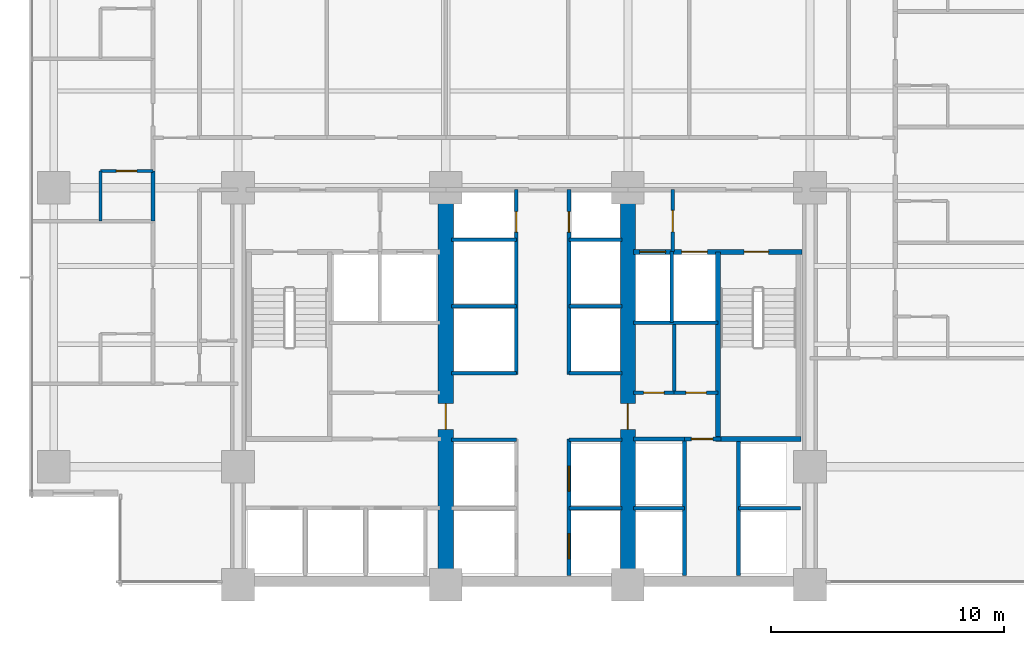
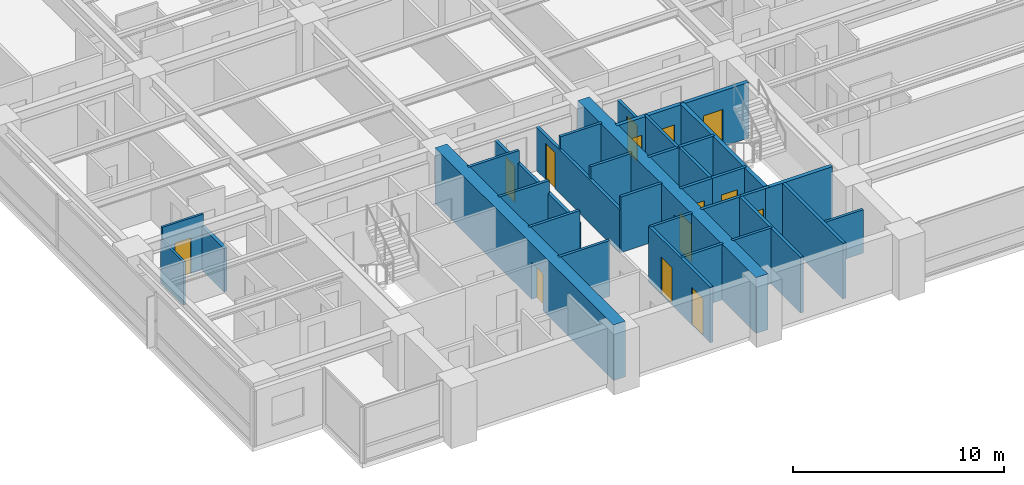
# One storey, part 8 of 16: 32 walls, 14 doors, 14 openings.
"""IFC4 building model written with IfcOpenShell, lengths in metres."""

from ifc_helpers import new_model, si_unit, direction, frame, frame_2d, origin, place, context, subcontext, project, spatial, rectangle, extrude, material, layer, layer_set, type_object, element, fill, save


model = new_model("IFC4")

# Units and contexts
model_context = context("Model", 3, precision=1e-05, world=origin(), true_north=direction((0.0, 1.0)))
body_context = subcontext(model_context, "Body", "Model", "MODEL_VIEW")
ifc_project = project(units=[si_unit("LENGTHUNIT", "METRE"), si_unit("AREAUNIT", "SQUARE_METRE"), si_unit("VOLUMEUNIT", "CUBIC_METRE"), si_unit("PLANEANGLEUNIT", "RADIAN"), si_unit("MASSUNIT", "GRAM", prefix="KILO")], contexts=[model_context])

# Site, building, storey
site_placement = place(None, origin())
site = spatial("IfcSite", under=ifc_project, at=site_placement, CompositionType="ELEMENT")
building_placement = place(site_placement, origin())
building = spatial("IfcBuilding", under=site, at=building_placement, Name="Qalmaran Belvedere Hotel", CompositionType="ELEMENT")
storey_placement = place(building_placement, frame((0.0, 0.0, 36.89990234375)))
storey = spatial("IfcBuildingStorey", under=building, at=storey_placement, Name="L08", CompositionType="ELEMENT", Elevation=36.89990234375)

# Wall, opening, door
ifc_material_1 = material(Name="Concrete C60/75", Category="concrete")
ifc_layer_1 = layer(ifc_material_1, 0.64990234375, Name="Concrete C60/75")
ifc_layer_set_1 = layer_set([ifc_layer_1], Name="Concrete C60/75")
wall_type_1 = type_object("IfcWallType", Name="WL-CORE-650-C60", PredefinedType="SHEAR", material=ifc_layer_set_1)
wall_1_placement = place(storey_placement, frame((29.199951171875, 3.5, 0.0), z_axis=(0.0, 0.0, 1.0), x_axis=(0.0, 1.0, 0.0)))
wall_1 = element("IfcWall", 1, at=wall_1_placement, inside=storey, type_object=wall_type_1, Name="L08 Core West Spine Shear Wall", PredefinedType="SHEAR", context=body_context, shape_type="SweptSolid", body=[
    extrude(rectangle(XDim=16.89990234375, YDim=0.64990234375, at=frame_2d((8.449951171875, 0.0))), origin(), (0.0, 0.0, 1.0), 3.22021484375),
])
opening_1_placement = place(wall_1_placement, frame((7.75, 0.0, 0.0), z_axis=(0.0, 0.0, 1.0), x_axis=(-1.0, 0.0, 0.0)))
opening_1 = element("IfcOpeningElement", 2, at=opening_1_placement, cuts=wall_1, Name="Opening FD90", PredefinedType="OPENING", context=body_context, shape_type="SweptSolid", body=[
    extrude(rectangle(XDim=1.10009765625, YDim=2.14990234375, at=frame_2d((0.550048828125, 1.074951171875))), frame((0.0, 0.3349609375, 0.0), z_axis=(0.0, -1.0, 0.0), x_axis=(1.0, 0.0, 0.0)), (0.0, 0.0, 1.0), 0.669921875),
])
ifc_material_2 = material(Name="Steel S355JR", Category="steel")
door_type_1 = type_object("IfcDoorType", Name="DR-FD90-1100X2150", OperationType="NOTDEFINED", PredefinedType="DOOR", material=ifc_material_2)
door_1_placement = place(opening_1_placement, origin())
door_1 = element("IfcDoor", 3, at=door_1_placement, inside=storey, type_object=door_type_1, Name="L08 Core West Cross-Lobby Door", OperationType="SINGLE_SWING_LEFT", OverallHeight=2.14990234375, OverallWidth=1.10009765625, PredefinedType="DOOR", context=body_context, shape_type="SweptSolid", body=[
    extrude(rectangle(XDim=1.10009765625, YDim=2.14990234375, at=frame_2d((0.550048828125, 1.074951171875))), frame((0.0, 0.02490234375, 0.0), z_axis=(0.0, -1.0, 0.0), x_axis=(1.0, 0.0, 0.0)), (0.0, 0.0, 1.0), 0.050048828125),
])
fill(opening_1, door_1)

wall_2_placement = place(storey_placement, frame((37.0, 3.5, 0.0), z_axis=(0.0, 0.0, 1.0), x_axis=(0.0, 1.0, 0.0)))
wall_2 = element("IfcWall", 4, at=wall_2_placement, inside=storey, type_object=wall_type_1, Name="L08 Core East Spine Shear Wall", PredefinedType="SHEAR", context=body_context, shape_type="SweptSolid", body=[
    extrude(rectangle(XDim=16.89990234375, YDim=0.64990234375, at=frame_2d((8.449951171875, 0.0))), origin(), (0.0, 0.0, 1.0), 3.22021484375),
])
opening_2_placement = place(wall_2_placement, frame((6.64990234375, 0.0, 0.0)))
opening_2 = element("IfcOpeningElement", 5, at=opening_2_placement, cuts=wall_2, Name="Opening FD90", PredefinedType="OPENING", context=body_context, shape_type="SweptSolid", body=[
    extrude(rectangle(XDim=1.10009765625, YDim=2.14990234375, at=frame_2d((0.550048828125, 1.074951171875))), frame((0.0, 0.3349609375, 0.0), z_axis=(0.0, -1.0, 0.0), x_axis=(1.0, 0.0, 0.0)), (0.0, 0.0, 1.0), 0.669921875),
])
door_2_placement = place(opening_2_placement, origin())
door_2 = element("IfcDoor", 6, at=door_2_placement, inside=storey, type_object=door_type_1, Name="L08 Core East Cross-Lobby Door", OperationType="SINGLE_SWING_RIGHT", OverallHeight=2.14990234375, OverallWidth=1.10009765625, PredefinedType="DOOR", context=body_context, shape_type="SweptSolid", body=[
    extrude(rectangle(XDim=1.10009765625, YDim=2.14990234375, at=frame_2d((0.550048828125, 1.074951171875))), frame((0.0, 0.02490234375, 0.0), z_axis=(0.0, -1.0, 0.0), x_axis=(1.0, 0.0, 0.0)), (0.0, 0.0, 1.0), 0.050048828125),
])
fill(opening_2, door_2)

ifc_material_3 = material(Name="Moisture-Resistant Gypsum")
ifc_layer_2 = layer(ifc_material_3, 0.1201171875, Name="Moisture-Resistant Gypsum")
ifc_layer_set_2 = layer_set([ifc_layer_2], Name="Moisture-Resistant Gypsum")
wall_type_2 = type_object("IfcWallType", Name="WL-INT-120-BATH", PredefinedType="PARTITIONING", material=ifc_layer_set_2)
wall_3_placement = place(storey_placement, frame((14.39990234375, 21.216796875, 0.0), z_axis=(0.0, 0.0, 1.0), x_axis=(1.0, 0.0, 0.0)))
wall_3 = element("IfcWall", 7, at=wall_3_placement, inside=storey, type_object=wall_type_2, Name="L08 Partition WL-L08-WBN01", PredefinedType="PARTITIONING", context=body_context, shape_type="SweptSolid", body=[
    extrude(rectangle(XDim=2.25, YDim=0.1201171875, at=frame_2d((1.125, 0.0))), origin(), (0.0, 0.0, 1.0), 3.22021484375),
])
opening_3_placement = place(wall_3_placement, frame((1.56494140625, 0.0, 0.0), z_axis=(0.0, 0.0, 1.0), x_axis=(-1.0, 0.0, 0.0)))
opening_3 = element("IfcOpeningElement", 8, at=opening_3_placement, cuts=wall_3, Name="Opening D-BATH", PredefinedType="OPENING", context=body_context, shape_type="SweptSolid", body=[
    extrude(rectangle(XDim=0.8798828125, YDim=2.080078125, at=frame_2d((0.43994140625, 1.0400390625))), frame((0.0, 0.070068359375, 0.0), z_axis=(0.0, -1.0, 0.0), x_axis=(1.0, 0.0, 0.0)), (0.0, 0.0, 1.0), 0.14013671875),
])
ifc_material_4 = material(Name="Engineered Oak Veneer")
door_type_2 = type_object("IfcDoorType", Name="DR-INT-BATH-880X2080", OperationType="NOTDEFINED", PredefinedType="DOOR", material=ifc_material_4)
door_3_placement = place(opening_3_placement, origin())
door_3 = element("IfcDoor", 9, at=door_3_placement, inside=storey, type_object=door_type_2, Name="L08 W Ensuite Door 02", OperationType="SINGLE_SWING_RIGHT", OverallHeight=2.080078125, OverallWidth=0.8798828125, PredefinedType="DOOR", context=body_context, shape_type="SweptSolid", body=[
    extrude(rectangle(XDim=0.8798828125, YDim=2.080078125, at=frame_2d((0.43994140625, 1.0400390625))), frame((0.0, 0.02490234375, 0.0), z_axis=(0.0, -1.0, 0.0), x_axis=(1.0, 0.0, 0.0)), (0.0, 0.0, 1.0), 0.050048828125),
])
fill(opening_3, door_3)

# Walls
wall_4_placement = place(storey_placement, frame((14.39990234375, 19.066650390625, 0.0), z_axis=(0.0, 0.0, 1.0), x_axis=(0.0, 1.0, 0.0)))
element("IfcWall", 10, at=wall_4_placement, inside=storey, type_object=wall_type_2, Name="L08 Partition WL-L08-WBS01", PredefinedType="PARTITIONING", context=body_context, shape_type="SweptSolid", body=[
    extrude(rectangle(XDim=2.150146484375, YDim=0.1201171875, at=frame_2d((1.0751953125, 0.0))), origin(), (0.0, 0.0, 1.0), 2.510009765625),
])
ifc_material_5 = material(Name="Gypsum Stud Partition")
ifc_layer_3 = layer(ifc_material_5, 0.14990234375, Name="Gypsum Stud Partition")
ifc_layer_set_3 = layer_set([ifc_layer_3], Name="Gypsum Stud Partition")
wall_type_3 = type_object("IfcWallType", Name="WL-INT-150-EI120", PredefinedType="PARTITIONING", material=ifc_layer_set_3)
wall_5_placement = place(storey_placement, frame((38.8798828125, 14.719970703125, 0.0), z_axis=(0.0, 0.0, 1.0), x_axis=(0.0, 1.0, 0.0)))
element("IfcWall", 11, at=wall_5_placement, inside=storey, type_object=wall_type_3, Name="L08 Partition WL-FF2M-L08", PredefinedType="PARTITIONING", context=body_context, shape_type="SweptSolid", body=[
    extrude(rectangle(XDim=3.0400390625, YDim=0.14990234375, at=frame_2d((1.52001953125, 0.0))), origin(), (0.0, 0.0, 1.0), 3.22021484375),
])
wall_6_placement = place(storey_placement, frame((37.25, 6.780029296875, 0.0), z_axis=(0.0, 0.0, 1.0), x_axis=(1.0, 0.0, 0.0)))
element("IfcWall", 12, at=wall_6_placement, inside=storey, type_object=wall_type_3, Name="L08 Partition WL-PHMW-L08", PredefinedType="PARTITIONING", context=body_context, shape_type="SweptSolid", body=[
    extrude(rectangle(XDim=2.169921875, YDim=0.14990234375, at=frame_2d((1.0849609375, 0.0))), origin(), (0.0, 0.0, 1.0), 3.22021484375),
])
wall_7_placement = place(storey_placement, frame((41.739990234375, 6.780029296875, 0.0), z_axis=(0.0, 0.0, 1.0), x_axis=(1.0, 0.0, 0.0)))
element("IfcWall", 13, at=wall_7_placement, inside=storey, type_object=wall_type_3, Name="L08 Partition WL-PHME-L08", PredefinedType="PARTITIONING", context=body_context, shape_type="SweptSolid", body=[
    extrude(rectangle(XDim=2.659912109375, YDim=0.14990234375, at=frame_2d((1.330078125, 0.0))), origin(), (0.0, 0.0, 1.0), 2.510009765625),
])
wall_8_placement = place(storey_placement, frame((34.47998046875, 6.780029296875, 0.0), z_axis=(0.0, 0.0, 1.0), x_axis=(1.0, 0.0, 0.0)))
element("IfcWall", 14, at=wall_8_placement, inside=storey, type_object=wall_type_3, Name="L08 Partition WL-PLE-L08-67", PredefinedType="PARTITIONING", context=body_context, shape_type="SweptSolid", body=[
    extrude(rectangle(XDim=2.27001953125, YDim=0.14990234375, at=frame_2d((1.135009765625, 0.0))), origin(), (0.0, 0.0, 1.0), 3.22021484375),
])
wall_9_placement = place(storey_placement, frame((29.449951171875, 9.699951171875, 0.0), z_axis=(0.0, 0.0, 1.0), x_axis=(1.0, 0.0, 0.0)))
element("IfcWall", 15, at=wall_9_placement, inside=storey, type_object=wall_type_3, Name="L08 Partition WL-PLW-L08-97", PredefinedType="PARTITIONING", context=body_context, shape_type="SweptSolid", body=[
    extrude(rectangle(XDim=2.77001953125, YDim=0.14990234375, at=frame_2d((1.385009765625, 0.0))), origin(), (0.0, 0.0, 1.0), 3.22021484375),
])
wall_10_placement = place(storey_placement, frame((34.47998046875, 9.699951171875, 0.0), z_axis=(0.0, 0.0, 1.0), x_axis=(1.0, 0.0, 0.0)))
element("IfcWall", 16, at=wall_10_placement, inside=storey, type_object=wall_type_3, Name="L08 Partition WL-PLE-L08-97", PredefinedType="PARTITIONING", context=body_context, shape_type="SweptSolid", body=[
    extrude(rectangle(XDim=2.27001953125, YDim=0.14990234375, at=frame_2d((1.135009765625, 0.0))), origin(), (0.0, 0.0, 1.0), 3.22021484375),
])
wall_11_placement = place(storey_placement, frame((29.449951171875, 12.550048828125, 0.0), z_axis=(0.0, 0.0, 1.0), x_axis=(1.0, 0.0, 0.0)))
element("IfcWall", 17, at=wall_11_placement, inside=storey, type_object=wall_type_3, Name="L08 Partition WL-PMW-L08-125", PredefinedType="PARTITIONING", context=body_context, shape_type="SweptSolid", body=[
    extrude(rectangle(XDim=2.77001953125, YDim=0.14990234375, at=frame_2d((1.385009765625, 0.0))), origin(), (0.0, 0.0, 1.0), 3.22021484375),
])
wall_12_placement = place(storey_placement, frame((34.47998046875, 12.550048828125, 0.0), z_axis=(0.0, 0.0, 1.0), x_axis=(1.0, 0.0, 0.0)))
element("IfcWall", 18, at=wall_12_placement, inside=storey, type_object=wall_type_3, Name="L08 Partition WL-PME-L08-125", PredefinedType="PARTITIONING", context=body_context, shape_type="SweptSolid", body=[
    extrude(rectangle(XDim=2.27001953125, YDim=0.14990234375, at=frame_2d((1.135009765625, 0.0))), origin(), (0.0, 0.0, 1.0), 3.22021484375),
])
wall_13_placement = place(storey_placement, frame((29.449951171875, 15.419921875, 0.0), z_axis=(0.0, 0.0, 1.0), x_axis=(1.0, 0.0, 0.0)))
element("IfcWall", 19, at=wall_13_placement, inside=storey, type_object=wall_type_3, Name="L08 Partition WL-PMW-L08-154", PredefinedType="PARTITIONING", context=body_context, shape_type="SweptSolid", body=[
    extrude(rectangle(XDim=2.77001953125, YDim=0.14990234375, at=frame_2d((1.385009765625, 0.0))), origin(), (0.0, 0.0, 1.0), 3.22021484375),
])
wall_14_placement = place(storey_placement, frame((34.47998046875, 15.419921875, 0.0), z_axis=(0.0, 0.0, 1.0), x_axis=(1.0, 0.0, 0.0)))
element("IfcWall", 20, at=wall_14_placement, inside=storey, type_object=wall_type_3, Name="L08 Partition WL-PME-L08-154", PredefinedType="PARTITIONING", context=body_context, shape_type="SweptSolid", body=[
    extrude(rectangle(XDim=2.27001953125, YDim=0.14990234375, at=frame_2d((1.135009765625, 0.0))), origin(), (0.0, 0.0, 1.0), 3.22021484375),
])
wall_15_placement = place(storey_placement, frame((29.449951171875, 18.280029296875, 0.0), z_axis=(0.0, 0.0, 1.0), x_axis=(1.0, 0.0, 0.0)))
element("IfcWall", 21, at=wall_15_placement, inside=storey, type_object=wall_type_3, Name="L08 Partition WL-PMW-L08-182", PredefinedType="PARTITIONING", context=body_context, shape_type="SweptSolid", body=[
    extrude(rectangle(XDim=2.77001953125, YDim=0.14990234375, at=frame_2d((1.385009765625, 0.0))), origin(), (0.0, 0.0, 1.0), 3.22021484375),
])
wall_16_placement = place(storey_placement, frame((34.47998046875, 18.280029296875, 0.0), z_axis=(0.0, 0.0, 1.0), x_axis=(1.0, 0.0, 0.0)))
element("IfcWall", 22, at=wall_16_placement, inside=storey, type_object=wall_type_3, Name="L08 Partition WL-PME-L08-182", PredefinedType="PARTITIONING", context=body_context, shape_type="SweptSolid", body=[
    extrude(rectangle(XDim=2.27001953125, YDim=0.14990234375, at=frame_2d((1.135009765625, 0.0))), origin(), (0.0, 0.0, 1.0), 3.22021484375),
])
ifc_layer_4 = layer(ifc_material_5, 0.14990234375, Name="Gypsum Stud Partition")
ifc_layer_set_4 = layer_set([ifc_layer_4], Name="Gypsum Stud Partition")
wall_type_4 = type_object("IfcWallType", Name="WL-INT-150-EI60", PredefinedType="PARTITIONING", material=ifc_layer_set_4)
wall_17_placement = place(storey_placement, frame((38.98291015625, 11.719970703125, 0.0), z_axis=(0.0, 0.0, 1.0), x_axis=(0.0, 1.0, 0.0)))
element("IfcWall", 23, at=wall_17_placement, inside=storey, type_object=wall_type_4, Name="L08 Partition WL-L08-KEV1", PredefinedType="PARTITIONING", context=body_context, shape_type="SweptSolid", body=[
    extrude(rectangle(XDim=2.929931640625, YDim=0.14990234375, at=frame_2d((1.46484375, 0.0))), origin(), (0.0, 0.0, 1.0), 3.22021484375),
])

# Wall, opening, door
ifc_layer_5 = layer(ifc_material_5, 0.159912109375, Name="Gypsum Stud Partition")
ifc_layer_set_5 = layer_set([ifc_layer_5], Name="Gypsum Stud Partition")
wall_type_5 = type_object("IfcWallType", Name="WL-INT-160-EI120", PredefinedType="PARTITIONING", material=ifc_layer_set_5)
wall_18_placement = place(storey_placement, frame((38.919921875, 17.760009765625, 0.0), z_axis=(0.0, 0.0, 1.0), x_axis=(0.0, 1.0, 0.0)))
wall_18 = element("IfcWall", 24, at=wall_18_placement, inside=storey, type_object=wall_type_5, Name="L08 Partition WL-FFSV2-L08", PredefinedType="PARTITIONING", context=body_context, shape_type="SweptSolid", body=[
    extrude(rectangle(XDim=2.659912109375, YDim=0.159912109375, at=frame_2d((1.330078125, 0.0))), origin(), (0.0, 0.0, 1.0), 2.510009765625),
])
opening_4_placement = place(wall_18_placement, frame((1.77001953125, 0.0, 0.0), z_axis=(0.0, 0.0, 1.0), x_axis=(-1.0, 0.0, 0.0)))
opening_4 = element("IfcOpeningElement", 25, at=opening_4_placement, cuts=wall_18, Name="Opening FD60S1", PredefinedType="OPENING", context=body_context, shape_type="SweptSolid", body=[
    extrude(rectangle(XDim=0.919921875, YDim=2.080078125, at=frame_2d((0.4599609375, 1.0400390625))), frame((0.0, 0.08984375, 0.0), z_axis=(0.0, -1.0, 0.0), x_axis=(1.0, 0.0, 0.0)), (0.0, 0.0, 1.0), 0.179931640625),
])
door_type_3 = type_object("IfcDoorType", Name="DR-FD60S-920X2080", OperationType="NOTDEFINED", PredefinedType="DOOR", material=ifc_material_4)
door_4_placement = place(opening_4_placement, origin())
door_4 = element("IfcDoor", 26, at=door_4_placement, inside=storey, type_object=door_type_3, Name="L08 Service Lobby East Door", OperationType="SINGLE_SWING_RIGHT", OverallHeight=2.080078125, OverallWidth=0.919921875, PredefinedType="DOOR", context=body_context, shape_type="SweptSolid", body=[
    extrude(rectangle(XDim=0.919921875, YDim=2.080078125, at=frame_2d((0.4599609375, 1.0400390625))), frame((0.0, 0.02490234375, 0.0), z_axis=(0.0, -1.0, 0.0), x_axis=(1.0, 0.0, 0.0)), (0.0, 0.0, 1.0), 0.050048828125),
])
fill(opening_4, door_4)

# Walls
wall_19_placement = place(storey_placement, frame((37.25, 14.719970703125, 0.0), z_axis=(0.0, 0.0, 1.0), x_axis=(1.0, 0.0, 0.0)))
element("IfcWall", 27, at=wall_19_placement, inside=storey, type_object=wall_type_5, Name="L08 Partition WL-FF2S-L08", PredefinedType="PARTITIONING", context=body_context, shape_type="SweptSolid", body=[
    extrude(rectangle(XDim=3.610107421875, YDim=0.159912109375, at=frame_2d((1.80517578125, 0.0))), origin(), (0.0, 0.0, 1.0), 3.22021484375),
])
for number, where, z_axis, x_axis, name in (
    (28, (39.419921875, 3.89990234375, 0.0), (0.0, 0.0, 1.0), (0.0, 1.0, 0.0), "L08 Partition WL-PHW-L08"),
    (29, (41.739990234375, 3.89990234375, 0.0), (0.0, 0.0, 1.0), (0.0, 1.0, 0.0), "L08 Partition WL-PHE-L08"),
):
    element("IfcWall", number, at=place(storey_placement, frame(where, z_axis=z_axis, x_axis=x_axis)), inside=storey, type_object=wall_type_5, Name=name, PredefinedType="PARTITIONING", context=body_context, shape_type="SweptSolid", body=[
        extrude(rectangle(XDim=5.840087890625, YDim=0.159912109375, at=frame_2d((2.919921875, 0.0))), origin(), (0.0, 0.0, 1.0), 3.22021484375),
    ])
wall_20_placement = place(storey_placement, frame((37.25, 9.739990234375, 0.0), z_axis=(0.0, 0.0, 1.0), x_axis=(1.0, 0.0, 0.0)))
element("IfcWall", 30, at=wall_20_placement, inside=storey, type_object=wall_type_5, Name="L08 Partition WL-PHNW-L08", PredefinedType="PARTITIONING", context=body_context, shape_type="SweptSolid", body=[
    extrude(rectangle(XDim=2.169921875, YDim=0.159912109375, at=frame_2d((1.0849609375, 0.0))), origin(), (0.0, 0.0, 1.0), 3.22021484375),
])

# Wall, opening, door
wall_21_placement = place(storey_placement, frame((39.419921875, 9.739990234375, 0.0), z_axis=(0.0, 0.0, 1.0), x_axis=(1.0, 0.0, 0.0)))
wall_21 = element("IfcWall", 31, at=wall_21_placement, inside=storey, type_object=wall_type_5, Name="L08 Partition WL-PHNL-L08", PredefinedType="PARTITIONING", context=body_context, shape_type="SweptSolid", body=[
    extrude(rectangle(XDim=1.56005859375, YDim=0.159912109375, at=frame_2d((0.780029296875, 0.0))), origin(), (0.0, 0.0, 1.0), 3.22021484375),
])
opening_5_placement = place(wall_21_placement, frame((0.300048828125, 0.0, 0.0)))
opening_5 = element("IfcOpeningElement", 32, at=opening_5_placement, cuts=wall_21, Name="Opening FD60S1", PredefinedType="OPENING", context=body_context, shape_type="SweptSolid", body=[
    extrude(rectangle(XDim=0.919921875, YDim=2.080078125, at=frame_2d((0.4599609375, 1.0400390625))), frame((0.0, 0.08984375, 0.0), z_axis=(0.0, -1.0, 0.0), x_axis=(1.0, 0.0, 0.0)), (0.0, 0.0, 1.0), 0.179931640625),
])
door_5_placement = place(opening_5_placement, origin())
door_5 = element("IfcDoor", 33, at=door_5_placement, inside=storey, type_object=door_type_3, Name="L08 High-Rise Lift Lobby Passage Door", OperationType="SINGLE_SWING_RIGHT", OverallHeight=2.080078125, OverallWidth=0.919921875, PredefinedType="DOOR", context=body_context, shape_type="SweptSolid", body=[
    extrude(rectangle(XDim=0.919921875, YDim=2.080078125, at=frame_2d((0.4599609375, 1.0400390625))), frame((0.0, 0.02490234375, 0.0), z_axis=(0.0, -1.0, 0.0), x_axis=(1.0, 0.0, 0.0)), (0.0, 0.0, 1.0), 0.050048828125),
])
fill(opening_5, door_5)

# Wall, openings, doors
wall_22_placement = place(storey_placement, frame((34.47998046875, 3.89990234375, 0.0), z_axis=(0.0, 0.0, 1.0), x_axis=(0.0, 1.0, 0.0)))
wall_22 = element("IfcWall", 34, at=wall_22_placement, inside=storey, type_object=wall_type_5, Name="L08 Partition WL-CLBES-L08", PredefinedType="PARTITIONING", context=body_context, shape_type="SweptSolid", body=[
    extrude(rectangle(XDim=5.840087890625, YDim=0.159912109375, at=frame_2d((2.919921875, 0.0))), origin(), (0.0, 0.0, 1.0), 3.22021484375),
])
opening_6_placement = place(wall_22_placement, frame((0.699951171875, 0.0, 0.0)))
opening_6 = element("IfcOpeningElement", 35, at=opening_6_placement, cuts=wall_22, Name="Opening LD-P1", PredefinedType="OPENING", context=body_context, shape_type="SweptSolid", body=[
    extrude(rectangle(XDim=1.080078125, YDim=2.159912109375, at=frame_2d((0.5400390625, 1.080078125))), frame((0.0, 0.08984375, 0.0), z_axis=(0.0, -1.0, 0.0), x_axis=(1.0, 0.0, 0.0)), (0.0, 0.0, 1.0), 0.179931640625),
])
opening_7_placement = place(wall_22_placement, frame((3.60009765625, 0.0, 0.0)))
opening_7 = element("IfcOpeningElement", 36, at=opening_7_placement, cuts=wall_22, Name="Opening LD-P1", PredefinedType="OPENING", context=body_context, shape_type="SweptSolid", body=[
    extrude(rectangle(XDim=1.080078125, YDim=2.159912109375, at=frame_2d((0.5400390625, 1.080078125))), frame((0.0, 0.08984375, 0.0), z_axis=(0.0, -1.0, 0.0), x_axis=(1.0, 0.0, 0.0)), (0.0, 0.0, 1.0), 0.179931640625),
])
ifc_material_6 = material(Name="Stainless Steel 1.4401", Category="steel")
door_type_4 = type_object("IfcDoorType", Name="DR-LIFT-P1-1080X2160", OperationType="DOUBLE_DOOR_SLIDING", PredefinedType="DOOR", material=ifc_material_6)
door_6_placement = place(opening_6_placement, origin())
door_6 = element("IfcDoor", 37, at=door_6_placement, inside=storey, type_object=door_type_4, Name="L08 PL3 Lift Landing Door", OperationType="DOUBLE_DOOR_SLIDING", OverallHeight=2.159912109375, OverallWidth=1.080078125, PredefinedType="DOOR", context=body_context, shape_type="SweptSolid", body=[
    extrude(rectangle(XDim=1.080078125, YDim=2.159912109375, at=frame_2d((0.5400390625, 1.080078125))), frame((0.0, 0.02490234375, 0.0), z_axis=(0.0, -1.0, 0.0), x_axis=(1.0, 0.0, 0.0)), (0.0, 0.0, 1.0), 0.050048828125),
])
fill(opening_6, door_6)
door_7_placement = place(opening_7_placement, origin())
door_7 = element("IfcDoor", 38, at=door_7_placement, inside=storey, type_object=door_type_4, Name="L08 PL4 Lift Landing Door", OperationType="DOUBLE_DOOR_SLIDING", OverallHeight=2.159912109375, OverallWidth=1.080078125, PredefinedType="DOOR", context=body_context, shape_type="SweptSolid", body=[
    extrude(rectangle(XDim=1.080078125, YDim=2.159912109375, at=frame_2d((0.5400390625, 1.080078125))), frame((0.0, 0.02490234375, 0.0), z_axis=(0.0, -1.0, 0.0), x_axis=(1.0, 0.0, 0.0)), (0.0, 0.0, 1.0), 0.050048828125),
])
fill(opening_7, door_7)

# Wall, opening, door
wall_23_placement = place(storey_placement, frame((32.219970703125, 12.5, 0.0), z_axis=(0.0, 0.0, 1.0), x_axis=(0.0, 1.0, 0.0)))
wall_23 = element("IfcWall", 39, at=wall_23_placement, inside=storey, type_object=wall_type_5, Name="L08 Partition WL-CLBWN-L08", PredefinedType="PARTITIONING", context=body_context, shape_type="SweptSolid", body=[
    extrude(rectangle(XDim=7.919921875, YDim=0.159912109375, at=frame_2d((3.9599609375, 0.0))), origin(), (0.0, 0.0, 1.0), 2.510009765625),
])
opening_8_placement = place(wall_23_placement, frame((6.10009765625, 0.0, 0.0)))
opening_8 = element("IfcOpeningElement", 40, at=opening_8_placement, cuts=wall_23, Name="Opening FD60B", PredefinedType="OPENING", context=body_context, shape_type="SweptSolid", body=[
    extrude(rectangle(XDim=0.8798828125, YDim=2.080078125, at=frame_2d((0.43994140625, 1.0400390625))), frame((0.0, 0.08984375, 0.0), z_axis=(0.0, -1.0, 0.0), x_axis=(1.0, 0.0, 0.0)), (0.0, 0.0, 1.0), 0.179931640625),
])
door_type_5 = type_object("IfcDoorType", Name="DR-FD60B-880X2080", OperationType="NOTDEFINED", PredefinedType="DOOR", material=ifc_material_2)
door_8_placement = place(opening_8_placement, origin())
door_8 = element("IfcDoor", 41, at=door_8_placement, inside=storey, type_object=door_type_5, Name="L08 West Riser Access Door", OperationType="SINGLE_SWING_LEFT", OverallHeight=2.080078125, OverallWidth=0.8798828125, PredefinedType="DOOR", context=body_context, shape_type="SweptSolid", body=[
    extrude(rectangle(XDim=0.8798828125, YDim=2.080078125, at=frame_2d((0.43994140625, 1.0400390625))), frame((0.0, 0.02490234375, 0.0), z_axis=(0.0, -1.0, 0.0), x_axis=(1.0, 0.0, 0.0)), (0.0, 0.0, 1.0), 0.050048828125),
])
fill(opening_8, door_8)

wall_24_placement = place(storey_placement, frame((34.47998046875, 12.5, 0.0), z_axis=(0.0, 0.0, 1.0), x_axis=(0.0, 1.0, 0.0)))
wall_24 = element("IfcWall", 42, at=wall_24_placement, inside=storey, type_object=wall_type_5, Name="L08 Partition WL-CLBEN-L08", PredefinedType="PARTITIONING", context=body_context, shape_type="SweptSolid", body=[
    extrude(rectangle(XDim=7.919921875, YDim=0.159912109375, at=frame_2d((3.9599609375, 0.0))), origin(), (0.0, 0.0, 1.0), 2.510009765625),
])
opening_9_placement = place(wall_24_placement, frame((6.97998046875, 0.0, 0.0), z_axis=(0.0, 0.0, 1.0), x_axis=(-1.0, 0.0, 0.0)))
opening_9 = element("IfcOpeningElement", 43, at=opening_9_placement, cuts=wall_24, Name="Opening FD60B", PredefinedType="OPENING", context=body_context, shape_type="SweptSolid", body=[
    extrude(rectangle(XDim=0.8798828125, YDim=2.080078125, at=frame_2d((0.43994140625, 1.0400390625))), frame((0.0, 0.08984375, 0.0), z_axis=(0.0, -1.0, 0.0), x_axis=(1.0, 0.0, 0.0)), (0.0, 0.0, 1.0), 0.179931640625),
])
door_9_placement = place(opening_9_placement, origin())
door_9 = element("IfcDoor", 44, at=door_9_placement, inside=storey, type_object=door_type_5, Name="L08 East Riser Access Door", OperationType="SINGLE_SWING_RIGHT", OverallHeight=2.080078125, OverallWidth=0.8798828125, PredefinedType="DOOR", context=body_context, shape_type="SweptSolid", body=[
    extrude(rectangle(XDim=0.8798828125, YDim=2.080078125, at=frame_2d((0.43994140625, 1.0400390625))), frame((0.0, 0.02490234375, 0.0), z_axis=(0.0, -1.0, 0.0), x_axis=(1.0, 0.0, 0.0)), (0.0, 0.0, 1.0), 0.050048828125),
])
fill(opening_9, door_9)

ifc_layer_6 = layer(ifc_material_5, 0.159912109375, Name="Gypsum Stud Partition")
ifc_layer_set_6 = layer_set([ifc_layer_6], Name="Gypsum Stud Partition")
wall_type_6 = type_object("IfcWallType", Name="WL-INT-160-EI60", PredefinedType="PARTITIONING", material=ifc_layer_set_6)
wall_25_placement = place(storey_placement, frame((37.25, 11.719970703125, 0.0), z_axis=(0.0, 0.0, 1.0), x_axis=(1.0, 0.0, 0.0)))
wall_25 = element("IfcWall", 45, at=wall_25_placement, inside=storey, type_object=wall_type_6, Name="L08 Partition WL-L08-KEE1", PredefinedType="PARTITIONING", context=body_context, shape_type="SweptSolid", body=[
    extrude(rectangle(XDim=1.73291015625, YDim=0.159912109375, at=frame_2d((0.866455078125, 0.0))), origin(), (0.0, 0.0, 1.0), 3.22021484375),
])
opening_10_placement = place(wall_25_placement, frame((0.426513671875, 0.0, 0.0)))
opening_10 = element("IfcOpeningElement", 46, at=opening_10_placement, cuts=wall_25, Name="Opening FD60B", PredefinedType="OPENING", context=body_context, shape_type="SweptSolid", body=[
    extrude(rectangle(XDim=0.8798828125, YDim=2.080078125, at=frame_2d((0.43994140625, 1.0400390625))), frame((0.0, 0.08984375, 0.0), z_axis=(0.0, -1.0, 0.0), x_axis=(1.0, 0.0, 0.0)), (0.0, 0.0, 1.0), 0.179931640625),
])
door_10_placement = place(opening_10_placement, origin())
door_10 = element("IfcDoor", 47, at=door_10_placement, inside=storey, type_object=door_type_5, Name="L08 Cleaner Equipment Store Door", OperationType="SINGLE_SWING_LEFT", OverallHeight=2.080078125, OverallWidth=0.8798828125, PredefinedType="DOOR", context=body_context, shape_type="SweptSolid", body=[
    extrude(rectangle(XDim=0.8798828125, YDim=2.080078125, at=frame_2d((0.43994140625, 1.0400390625))), frame((0.0, 0.02490234375, 0.0), z_axis=(0.0, -1.0, 0.0), x_axis=(1.0, 0.0, 0.0)), (0.0, 0.0, 1.0), 0.050048828125),
])
fill(opening_10, door_10)

wall_26_placement = place(storey_placement, frame((38.98291015625, 11.719970703125, 0.0), z_axis=(0.0, 0.0, 1.0), x_axis=(1.0, 0.0, 0.0)))
wall_26 = element("IfcWall", 48, at=wall_26_placement, inside=storey, type_object=wall_type_6, Name="L08 Partition WL-L08-KEE2", PredefinedType="PARTITIONING", context=body_context, shape_type="SweptSolid", body=[
    extrude(rectangle(XDim=1.877197265625, YDim=0.159912109375, at=frame_2d((0.9384765625, 0.0))), origin(), (0.0, 0.0, 1.0), 3.22021484375),
])
opening_11_placement = place(wall_26_placement, frame((0.49853515625, 0.0, 0.0)))
opening_11 = element("IfcOpeningElement", 49, at=opening_11_placement, cuts=wall_26, Name="Opening FD60B", PredefinedType="OPENING", context=body_context, shape_type="SweptSolid", body=[
    extrude(rectangle(XDim=0.8798828125, YDim=2.080078125, at=frame_2d((0.43994140625, 1.0400390625))), frame((0.0, 0.08984375, 0.0), z_axis=(0.0, -1.0, 0.0), x_axis=(1.0, 0.0, 0.0)), (0.0, 0.0, 1.0), 0.179931640625),
])
door_11_placement = place(opening_11_placement, origin())
door_11 = element("IfcDoor", 50, at=door_11_placement, inside=storey, type_object=door_type_5, Name="L08 Low Voltage Switch Room Door", OperationType="SINGLE_SWING_RIGHT", OverallHeight=2.080078125, OverallWidth=0.8798828125, PredefinedType="DOOR", context=body_context, shape_type="SweptSolid", body=[
    extrude(rectangle(XDim=0.8798828125, YDim=2.080078125, at=frame_2d((0.43994140625, 1.0400390625))), frame((0.0, 0.02490234375, 0.0), z_axis=(0.0, -1.0, 0.0), x_axis=(1.0, 0.0, 0.0)), (0.0, 0.0, 1.0), 0.050048828125),
])
fill(opening_11, door_11)

# Walls
ifc_layer_7 = layer(ifc_material_5, 0.179931640625, Name="Gypsum Stud Partition")
ifc_layer_set_7 = layer_set([ifc_layer_7], Name="Gypsum Stud Partition")
wall_type_7 = type_object("IfcWallType", Name="WL-INT-180-EI60", PredefinedType="PARTITIONING", material=ifc_layer_set_7)
wall_27_placement = place(storey_placement, frame((16.64990234375, 19.066650390625, 0.0), z_axis=(0.0, 0.0, 1.0), x_axis=(0.0, 1.0, 0.0)))
element("IfcWall", 51, at=wall_27_placement, inside=storey, type_object=wall_type_7, Name="L08 Partition WL-L08-WBC01", PredefinedType="PARTITIONING", context=body_context, shape_type="SweptSolid", body=[
    extrude(rectangle(XDim=2.150146484375, YDim=0.179931640625, at=frame_2d((1.0751953125, 0.0))), origin(), (0.0, 0.0, 1.0), 2.510009765625),
])
ifc_material_7 = material(Name="Concrete C50/60", Category="concrete")
ifc_layer_8 = layer(ifc_material_7, 0.2099609375, Name="Concrete C50/60")
ifc_layer_set_8 = layer_set([ifc_layer_8], Name="Concrete C50/60")
wall_type_8 = type_object("IfcWallType", Name="WL-STAIR-210-C50", PredefinedType="SHEAR", material=ifc_layer_set_8)
wall_28_placement = place(storey_placement, frame((40.85498046875, 9.7451171875, 0.0), z_axis=(0.0, 0.0, 1.0), x_axis=(0.0, 1.0, 0.0)))
element("IfcWall", 52, at=wall_28_placement, inside=storey, type_object=wall_type_8, Name="L08 Stair ST-2 West Bearing Wall", PredefinedType="SHEAR", context=body_context, shape_type="SweptSolid", body=[
    extrude(rectangle(XDim=8.009765625, YDim=0.2099609375, at=frame_2d((4.0048828125, 0.0))), origin(), (0.0, 0.0, 1.0), 3.22021484375),
])
wall_29_placement = place(storey_placement, frame((40.75, 9.7451171875, 0.0), z_axis=(0.0, 0.0, 1.0), x_axis=(1.0, 0.0, 0.0)))
element("IfcWall", 53, at=wall_29_placement, inside=storey, type_object=wall_type_8, Name="L08 Stair ST-2 South Bearing Wall", PredefinedType="SHEAR", context=body_context, shape_type="SweptSolid", body=[
    extrude(rectangle(XDim=3.659912109375, YDim=0.2099609375, at=frame_2d((1.830078125, 0.0))), origin(), (0.0, 0.0, 1.0), 3.22021484375),
])

# Wall, openings, doors
wall_30_placement = place(storey_placement, frame((37.25, 17.7548828125, 0.0), z_axis=(0.0, 0.0, 1.0), x_axis=(1.0, 0.0, 0.0)))
wall_30 = element("IfcWall", 54, at=wall_30_placement, inside=storey, type_object=wall_type_8, Name="L08 East Lobby and Stair ST-2 North Bearing Wall", PredefinedType="SHEAR", context=body_context, shape_type="SweptSolid", body=[
    extrude(rectangle(XDim=7.199951171875, YDim=0.2099609375, at=frame_2d((3.60009765625, 0.0))), origin(), (0.0, 0.0, 1.0), 3.22021484375),
])
opening_12_placement = place(wall_30_placement, frame((0.25, 0.0, 0.0)))
opening_12 = element("IfcOpeningElement", 55, at=opening_12_placement, cuts=wall_30, Name="Opening LD-SV", PredefinedType="OPENING", context=body_context, shape_type="SweptSolid", body=[
    extrude(rectangle(XDim=1.1201171875, YDim=2.199951171875, at=frame_2d((0.56005859375, 1.10009765625))), frame((0.0, 0.114990234375, 0.0), z_axis=(0.0, -1.0, 0.0), x_axis=(1.0, 0.0, 0.0)), (0.0, 0.0, 1.0), 0.22998046875),
])
opening_13_placement = place(wall_30_placement, frame((2.050048828125, 0.0, 0.0)))
opening_13 = element("IfcOpeningElement", 56, at=opening_13_placement, cuts=wall_30, Name="Opening LD-FF", PredefinedType="OPENING", context=body_context, shape_type="SweptSolid", body=[
    extrude(rectangle(XDim=1.10009765625, YDim=2.179931640625, at=frame_2d((0.550048828125, 1.08984375))), frame((0.0, 0.114990234375, 0.0), z_axis=(0.0, -1.0, 0.0), x_axis=(1.0, 0.0, 0.0)), (0.0, 0.0, 1.0), 0.22998046875),
])
opening_14_placement = place(wall_30_placement, frame((5.780029296875, 0.0, 0.0), z_axis=(0.0, 0.0, 1.0), x_axis=(-1.0, 0.0, 0.0)))
opening_14 = element("IfcOpeningElement", 57, at=opening_14_placement, cuts=wall_30, Name="Opening FD90S2", PredefinedType="OPENING", context=body_context, shape_type="SweptSolid", body=[
    extrude(rectangle(XDim=1.050048828125, YDim=2.14990234375, at=frame_2d((0.52490234375, 1.074951171875))), frame((0.0, 0.114990234375, 0.0), z_axis=(0.0, -1.0, 0.0), x_axis=(1.0, 0.0, 0.0)), (0.0, 0.0, 1.0), 0.22998046875),
])
door_type_6 = type_object("IfcDoorType", Name="DR-FD90S-1050X2150", OperationType="NOTDEFINED", PredefinedType="DOOR", material=ifc_material_2)
door_12_placement = place(opening_14_placement, origin())
door_12 = element("IfcDoor", 58, at=door_12_placement, inside=storey, type_object=door_type_6, Name="L08 Stair ST-2 Door", OperationType="SINGLE_SWING_RIGHT", OverallHeight=2.14990234375, OverallWidth=1.050048828125, PredefinedType="DOOR", context=body_context, shape_type="SweptSolid", body=[
    extrude(rectangle(XDim=1.050048828125, YDim=2.14990234375, at=frame_2d((0.52490234375, 1.074951171875))), frame((0.0, 0.02490234375, 0.0), z_axis=(0.0, -1.0, 0.0), x_axis=(1.0, 0.0, 0.0)), (0.0, 0.0, 1.0), 0.050048828125),
])
fill(opening_14, door_12)
door_type_7 = type_object("IfcDoorType", Name="DR-LIFT-FF-1100X2180", OperationType="DOUBLE_DOOR_SLIDING", PredefinedType="DOOR", material=ifc_material_6)
door_13_placement = place(opening_13_placement, origin())
door_13 = element("IfcDoor", 59, at=door_13_placement, inside=storey, type_object=door_type_7, Name="L08 FF2 Lift Landing Door", OperationType="DOUBLE_DOOR_SLIDING", OverallHeight=2.179931640625, OverallWidth=1.10009765625, PredefinedType="DOOR", context=body_context, shape_type="SweptSolid", body=[
    extrude(rectangle(XDim=1.10009765625, YDim=2.179931640625, at=frame_2d((0.550048828125, 1.08984375))), frame((0.0, 0.02490234375, 0.0), z_axis=(0.0, -1.0, 0.0), x_axis=(1.0, 0.0, 0.0)), (0.0, 0.0, 1.0), 0.050048828125),
])
fill(opening_13, door_13)
door_type_8 = type_object("IfcDoorType", Name="DR-LIFT-SV-1120X2200", OperationType="DOUBLE_DOOR_SLIDING", PredefinedType="DOOR", material=ifc_material_6)
door_14_placement = place(opening_12_placement, origin())
door_14 = element("IfcDoor", 60, at=door_14_placement, inside=storey, type_object=door_type_8, Name="L08 SV2 Lift Landing Door", OperationType="DOUBLE_DOOR_SLIDING", OverallHeight=2.199951171875, OverallWidth=1.1201171875, PredefinedType="DOOR", context=body_context, shape_type="SweptSolid", body=[
    extrude(rectangle(XDim=1.1201171875, YDim=2.199951171875, at=frame_2d((0.56005859375, 1.10009765625))), frame((0.0, 0.02490234375, 0.0), z_axis=(0.0, -1.0, 0.0), x_axis=(1.0, 0.0, 0.0)), (0.0, 0.0, 1.0), 0.050048828125),
])
fill(opening_12, door_14)

save(model, "model.ifc")
